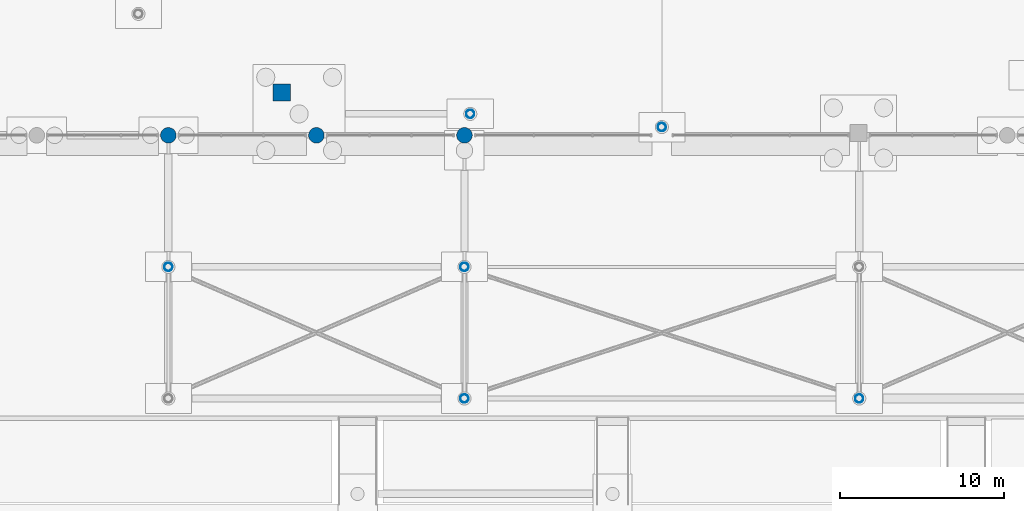
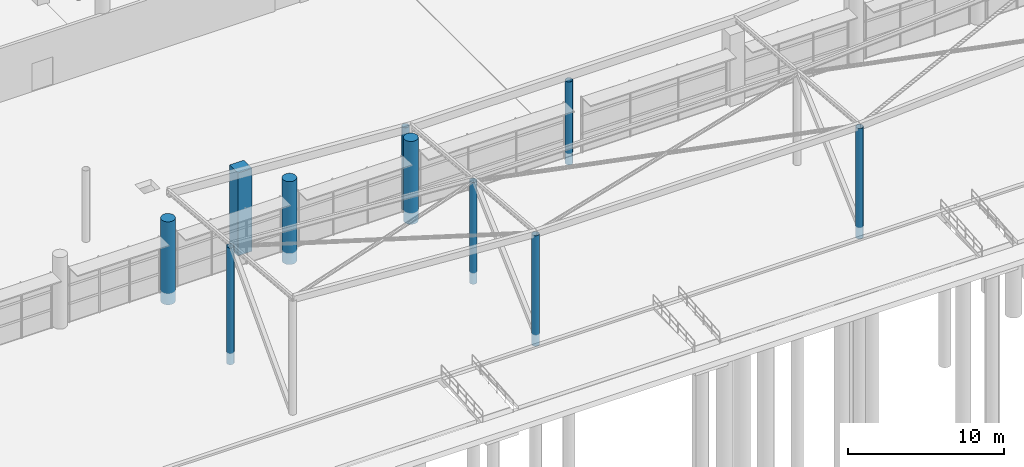
# One storey, part 16 of 98: 10 columns.
"""IFC4 building model written with IfcOpenShell, lengths in metres."""

import ifcopenshell
import ifcopenshell.guid

model = None  # the IFC model being written
_history = None  # IfcOwnerHistory: only IFC2X3 demands one
_inside = {}  # id of a spatial element -> (the spatial element, [elements in it])
_under = {}  # id of a project, library or spatial element -> (it, [spatial elements below it])
_declared = {}  # id of a project -> (the project, [libraries it declares])
_typed = {}  # id of a type object -> (the type object, [elements of that type])
_made_of = {}  # id of a material, layer set ... -> (it, [elements and type objects made of it])


def new_model(schema):
    """Start an empty IFC model of exactly this schema.

    Asked for "IFC4X3", IfcOpenShell would pick the latest addendum, in which some entities
    have other attributes; the version numbers below select the first issue.
    IFC2X3 requires an IfcOwnerHistory on every rooted entity: one is made here for all.
    """
    global model, _history
    if schema == "IFC4X3":
        model = ifcopenshell.file(schema_version=(4, 3, 0, 0))
    else:
        model = ifcopenshell.file(schema=schema)
    _inside.clear()
    _under.clear()
    _declared.clear()
    _typed.clear()
    _made_of.clear()
    _history = None
    if model.schema == "IFC2X3":
        org = make("IfcOrganization", Name="unknown")
        user = make(
            "IfcPersonAndOrganization",
            ThePerson=make("IfcPerson", FamilyName="unknown"),
            TheOrganization=org,
        )
        app = make(
            "IfcApplication",
            ApplicationDeveloper=org,
            Version="unknown",
            ApplicationFullName="unknown",
            ApplicationIdentifier="unknown",
        )
        _history = make(
            "IfcOwnerHistory",
            OwningUser=user,
            OwningApplication=app,
            ChangeAction="ADDED",
            CreationDate=0,
        )
    return model


def make(cls, **values):
    """One entity of the class cls with the attributes given. An attribute that is None is left unset."""
    return model.create_entity(
        cls, **{name: value for name, value in values.items() if value is not None}
    )


def rooted(cls, **values):
    """An entity with a GlobalId (a new one), such as an element, a storey or a relation."""
    return make(cls, GlobalId=ifcopenshell.guid.new(), OwnerHistory=_history, **values)


def si_unit(unit_type, name, prefix=None):
    """IfcSIUnit, for example si_unit("LENGTHUNIT", "METRE", prefix="MILLI")."""
    return make("IfcSIUnit", UnitType=unit_type, Prefix=prefix, Name=name)


def derived_unit(unit_type, elements):
    """IfcDerivedUnit: a product of units, each with its exponent."""
    return make(
        "IfcDerivedUnit",
        Elements=[
            make("IfcDerivedUnitElement", Unit=unit, Exponent=power)
            for unit, power in elements
        ],
        UnitType=unit_type,
    )


def assignment(units):
    """IfcUnitAssignment: the units of a project."""
    return None if units is None else make("IfcUnitAssignment", Units=units)


def point(xyz):
    """IfcCartesianPoint."""
    return None if xyz is None else make("IfcCartesianPoint", Coordinates=xyz)


def direction(xyz):
    """IfcDirection."""
    return None if xyz is None else make("IfcDirection", DirectionRatios=xyz)


def frame(location, z_axis=None, x_axis=None):
    """IfcAxis2Placement3D, a coordinate frame: its origin and axes. An axis left out is left unset."""
    return make(
        "IfcAxis2Placement3D",
        Location=point(location),
        Axis=direction(z_axis),
        RefDirection=direction(x_axis),
    )


def frame_2d(location, x_axis=None):
    """IfcAxis2Placement2D, a coordinate frame in the plane: its origin and x axis."""
    return make(
        "IfcAxis2Placement2D", Location=point(location), RefDirection=direction(x_axis)
    )


def origin():
    """The frame at (0, 0, 0) with its axes left unset."""
    return frame((0.0, 0.0, 0.0))


def origin_2d():
    """The frame at (0, 0) in the plane with its x axis left unset."""
    return frame_2d((0.0, 0.0))


def place(relative_to, where):
    """IfcLocalPlacement: puts the frame where relative to a parent placement (None: the world)."""
    return make(
        "IfcLocalPlacement", PlacementRelTo=relative_to, RelativePlacement=where
    )


def context(
    kind, dimensions, precision=None, world=None, true_north=None, identifier=None
):
    """IfcGeometricRepresentationContext, for example the 3D "Model" context."""
    return make(
        "IfcGeometricRepresentationContext",
        ContextIdentifier=identifier,
        ContextType=kind,
        CoordinateSpaceDimension=dimensions,
        Precision=precision,
        WorldCoordinateSystem=world,
        TrueNorth=true_north,
    )


def subcontext(parent, identifier, kind, view, scale=None):
    """IfcGeometricRepresentationSubContext, for example "Body" below "Model"."""
    return make(
        "IfcGeometricRepresentationSubContext",
        ContextIdentifier=identifier,
        ContextType=kind,
        ParentContext=parent,
        TargetScale=scale,
        TargetView=view,
    )


def project(units=None, contexts=None):
    """IfcProject with its units and contexts."""
    return rooted(
        "IfcProject",
        Name="project",
        RepresentationContexts=contexts,
        UnitsInContext=assignment(units),
    )


def spatial(cls, under=None, at=None, **own):
    """A site, building, storey or space (cls), placed at a placement, below another one or the project."""
    s = rooted(cls, ObjectPlacement=at, **own)
    if under is not None:
        _under.setdefault(under.id(), (under, []))[1].append(s)
    return s


def profile(cls, at=None, kind="AREA", **sizes):
    """A parametric profile (cls). Its sizes go by their IFC names, for example OverallWidth=200.0."""
    return make(cls, ProfileType=kind, Position=at, **sizes)


def rectangle(**sizes):
    """IfcRectangleProfileDef."""
    return profile("IfcRectangleProfileDef", **sizes)


def circle(**sizes):
    """IfcCircleProfileDef."""
    return profile("IfcCircleProfileDef", **sizes)


def hollow_circle(**sizes):
    """IfcCircleHollowProfileDef."""
    return profile("IfcCircleHollowProfileDef", **sizes)


def extrude(swept, where, along, depth):
    """IfcExtrudedAreaSolid: the profile swept, set in the frame where, extruded along a direction by depth."""
    return make(
        "IfcExtrudedAreaSolid",
        SweptArea=swept,
        Position=where,
        ExtrudedDirection=direction(along),
        Depth=depth,
    )


def shape(context_of_items, identifier, shape_type, items):
    """IfcShapeRepresentation: the items that make up one representation, for example the "Body"."""
    return make(
        "IfcShapeRepresentation",
        ContextOfItems=context_of_items,
        RepresentationIdentifier=identifier,
        RepresentationType=shape_type,
        Items=items,
    )


def material(Name=None, Category=None):
    """IfcMaterial."""
    return make("IfcMaterial", Name=Name, Category=Category)


def material_profile(
    of_material, cross_section, Name=None, Category=None, Priority=None
):
    """IfcMaterialProfile: a cross section and its material."""
    return make(
        "IfcMaterialProfile",
        Name=Name,
        Material=of_material,
        Profile=cross_section,
        Priority=Priority,
        Category=Category,
    )


def profile_set(profiles, Name=None, composite=None):
    """IfcMaterialProfileSet."""
    return make(
        "IfcMaterialProfileSet",
        Name=Name,
        MaterialProfiles=profiles,
        CompositeProfile=composite,
    )


def made_of(thing, what):
    """Note that an element or type object is made of a material, layer set ...; save() writes the relation."""
    if what is not None:
        _made_of.setdefault(what.id(), (what, []))[1].append(thing)
    return thing


def type_object(cls, material=None, **own):
    """A type object (cls), such as IfcWallType, which elements share."""
    return made_of(rooted(cls, **own), material)


def element(
    cls,
    number,
    at=None,
    inside=None,
    cuts=None,
    type_object=None,
    material=None,
    context=None,
    identifier="Body",
    shape_type=None,
    held_by="IfcProductDefinitionShape",
    body=None,
    shapes=None,
    **own,
):
    """One element of the class cls, such as IfcWall. Its Tag is "e" and its number.

    at: its placement. inside: the storey or other place that contains it. cuts: it is an
    opening in that element (IfcRelVoidsElement). A single representation is given by context,
    identifier, shape_type and body (its items); several are given by shapes. held_by: the class
    of the entity that holds the representations. save() writes the other relations.
    """
    e = rooted(cls, Tag="e%d" % number, ObjectPlacement=at, **own)
    if body is not None:
        shapes = [shape(context, identifier, shape_type, body)]
    if shapes is not None:
        e.Representation = make(held_by, Representations=shapes)
    if inside is not None:
        _inside.setdefault(inside.id(), (inside, []))[1].append(e)
    if cuts is not None:
        rooted(
            "IfcRelVoidsElement", RelatingBuildingElement=cuts, RelatedOpeningElement=e
        )
    if type_object is not None:
        _typed.setdefault(type_object.id(), (type_object, []))[1].append(e)
    return made_of(e, material)


def aggregate(whole, parts):
    """IfcRelAggregates: a whole, such as a stair, and the parts it consists of."""
    return rooted("IfcRelAggregates", RelatingObject=whole, RelatedObjects=parts)


def save(model, path):
    """Write the relations noted so far, then the file.

    IfcRelAggregates (storeys below a building ...), IfcRelContainedInSpatialStructure (elements
    in a storey), IfcRelDefinesByType, IfcRelAssociatesMaterial and IfcRelDeclares: one each for
    every whole, place, type object, material and project.
    """
    for whole, parts in _under.values():
        aggregate(whole, parts)
    for where, things in _inside.values():
        rooted(
            "IfcRelContainedInSpatialStructure",
            RelatedElements=things,
            RelatingStructure=where,
        )
    for kind, things in _typed.values():
        rooted("IfcRelDefinesByType", RelatedObjects=things, RelatingType=kind)
    for what, things in _made_of.values():
        rooted("IfcRelAssociatesMaterial", RelatedObjects=things, RelatingMaterial=what)
    for by, libraries in _declared.values():
        rooted("IfcRelDeclares", RelatingContext=by, RelatedDefinitions=libraries)
    model.write(path)


model = new_model("IFC4")

# Units and contexts
model_context = context("Model", 3, precision=1e-05, world=origin(), true_north=direction((0.0, 1.0)))
body_context = subcontext(model_context, "Body", "Model", "MODEL_VIEW")
ifc_project = project(units=[si_unit("LENGTHUNIT", "METRE"), si_unit("AREAUNIT", "SQUARE_METRE"), si_unit("VOLUMEUNIT", "CUBIC_METRE"), si_unit("PLANEANGLEUNIT", "RADIAN"), si_unit("MASSUNIT", "GRAM", prefix="KILO"), si_unit("THERMODYNAMICTEMPERATUREUNIT", "KELVIN"), derived_unit("THERMALTRANSMITTANCEUNIT", [(si_unit("POWERUNIT", "WATT"), 1), (si_unit("AREAUNIT", "SQUARE_METRE"), -1), (si_unit("THERMODYNAMICTEMPERATUREUNIT", "KELVIN"), -1)])], contexts=[model_context])

# Site, building, storey
site_placement = place(None, origin())
site = spatial("IfcSite", under=ifc_project, at=site_placement, CompositionType="ELEMENT")
building_placement = place(site_placement, origin())
building = spatial("IfcBuilding", under=site, at=building_placement, Name="Haiyu Intermodal Mobility Hub", CompositionType="ELEMENT")
storey_placement = place(building_placement, origin())
storey = spatial("IfcBuildingStorey", under=building, at=storey_placement, Name="L00", CompositionType="ELEMENT", Elevation=0.0)

# Columns
ifc_material_1 = material(Name="Concrete C40", Category="concrete")
ifc_material_profile_1 = material_profile(ifc_material_1, rectangle(XDim=1.050048828125, YDim=1.050048828125, at=origin_2d()), Name="RC1050x1050")
ifc_profile_set_1 = profile_set([ifc_material_profile_1], Name="Concrete C40")
column_type_1 = type_object("IfcColumnType", Name="COL-CC12-EXT", PredefinedType="COLUMN", material=ifc_profile_set_1)
column_1_placement = place(storey_placement, frame((84.89990234375, 42.60888671875, -0.89990234375), z_axis=(0.0, 0.0, 1.0), x_axis=(1.0, 0.0, 0.0)))
element("IfcColumn", 1, at=column_1_placement, inside=storey, type_object=column_type_1, Name="Column MP-06 L00", PredefinedType="COLUMN", context=body_context, shape_type="SweptSolid", body=[
    extrude(rectangle(XDim=1.050048828125, YDim=1.050048828125, at=origin_2d()), origin(), (0.0, 0.0, 1.0), 6.5),
])
ifc_material_profile_2 = material_profile(ifc_material_1, circle(Radius=0.47509765625, at=origin_2d()), Name="RCCOL-D950")
ifc_profile_set_2 = profile_set([ifc_material_profile_2], Name="Concrete C40")
column_type_2 = type_object("IfcColumnType", Name="COL-CR03-EXT", PredefinedType="COLUMN", material=ifc_profile_set_2)
for number, where, z_axis, x_axis, name in (
    (2, (78.0, 40.0, -0.89990234375), (0.0, 0.0, 1.0), (1.0, 0.0, 0.0), "Column V1-9D L00"),
    (3, (87.0, 40.0, -0.89990234375), (0.0, 0.0, 1.0), (1.0, 0.0, 0.0), "Column V1-10D L00"),
    (4, (96.0, 40.0, -0.89990234375), (0.0, 0.0, 1.0), (1.0, 0.0, 0.0), "Column V1-11D L00"),
):
    element("IfcColumn", number, at=place(storey_placement, frame(where, z_axis=z_axis, x_axis=x_axis)), inside=storey, type_object=column_type_2, Name=name, PredefinedType="COLUMN", context=body_context, shape_type="SweptSolid", body=[
        extrude(circle(Radius=0.47509765625, at=origin_2d()), origin(), (0.0, 0.0, 1.0), 6.5),
    ])
ifc_material_2 = material(Name="Steel Q355C", Category="steel")
ifc_material_profile_3 = material_profile(ifc_material_2, hollow_circle(Radius=0.25390625, WallThickness=0.01611328125, at=origin_2d()), Name="CHS508x16")
ifc_profile_set_3 = profile_set([ifc_material_profile_3], Name="Steel Q355C")
column_type_3 = type_object("IfcColumnType", Name="COL-SC02-EXT", PredefinedType="COLUMN", material=ifc_profile_set_3)
for number, where, z_axis, x_axis, name in (
    (5, (96.35302734375, 41.301025390625, -0.89990234375), (0.0, 0.0, 1.0), (1.0, 0.0, 0.0), "Column RCOL-18 L00"),
    (6, (108.0, 40.5, -0.89990234375), (0.0, 0.0, 1.0), (1.0, 0.0, 0.0), "Column RCOL-19 L00"),
):
    element("IfcColumn", number, at=place(storey_placement, frame(where, z_axis=z_axis, x_axis=x_axis)), inside=storey, type_object=column_type_3, Name=name, PredefinedType="COLUMN", context=body_context, shape_type="SweptSolid", body=[
        extrude(hollow_circle(Radius=0.25390625, WallThickness=0.01611328125, at=origin_2d()), origin(), (0.0, 0.0, 1.0), 6.5),
    ])
column_2_placement = place(storey_placement, frame((78.0, 32.0, -0.89990234375), z_axis=(0.0, 0.0, 1.0), x_axis=(1.0, 0.0, 0.0)))
element("IfcColumn", 7, at=column_2_placement, inside=storey, type_object=column_type_3, Name="Column CAN-9C L00", PredefinedType="COLUMN", context=body_context, shape_type="SweptSolid", body=[
    extrude(hollow_circle(Radius=0.25390625, WallThickness=0.01611328125, at=origin_2d()), origin(), (0.0, 0.0, 1.0), 9.15478515625),
])
column_3_placement = place(storey_placement, frame((96.0, 24.0, -0.89990234375), z_axis=(0.0, 0.0, 1.0), x_axis=(1.0, 0.0, 0.0)))
element("IfcColumn", 8, at=column_3_placement, inside=storey, type_object=column_type_3, Name="Column CAN-11B L00", PredefinedType="COLUMN", context=body_context, shape_type="SweptSolid", body=[
    extrude(hollow_circle(Radius=0.25390625, WallThickness=0.01611328125, at=origin_2d()), origin(), (0.0, 0.0, 1.0), 8.659912109375),
])
column_4_placement = place(storey_placement, frame((96.0, 32.0, -0.89990234375), z_axis=(0.0, 0.0, 1.0), x_axis=(1.0, 0.0, 0.0)))
element("IfcColumn", 9, at=column_4_placement, inside=storey, type_object=column_type_3, Name="Column CAN-11C L00", PredefinedType="COLUMN", context=body_context, shape_type="SweptSolid", body=[
    extrude(hollow_circle(Radius=0.25390625, WallThickness=0.01611328125, at=origin_2d()), origin(), (0.0, 0.0, 1.0), 7.98486328125),
])
column_5_placement = place(storey_placement, frame((120.0, 24.0, -0.89990234375), z_axis=(0.0, 0.0, 1.0), x_axis=(1.0, 0.0, 0.0)))
element("IfcColumn", 10, at=column_5_placement, inside=storey, type_object=column_type_3, Name="Column CAN-13B L00", PredefinedType="COLUMN", context=body_context, shape_type="SweptSolid", body=[
    extrude(hollow_circle(Radius=0.25390625, WallThickness=0.01611328125, at=origin_2d()), origin(), (0.0, 0.0, 1.0), 8.659912109375),
])

save(model, "model.ifc")
